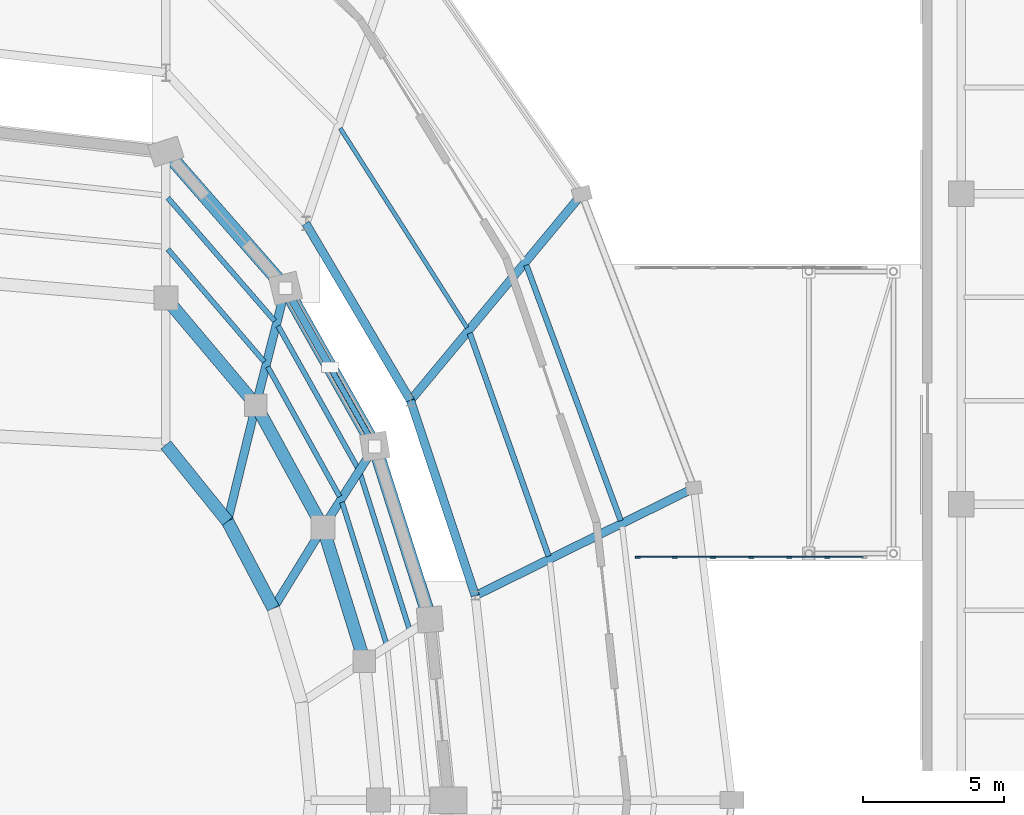
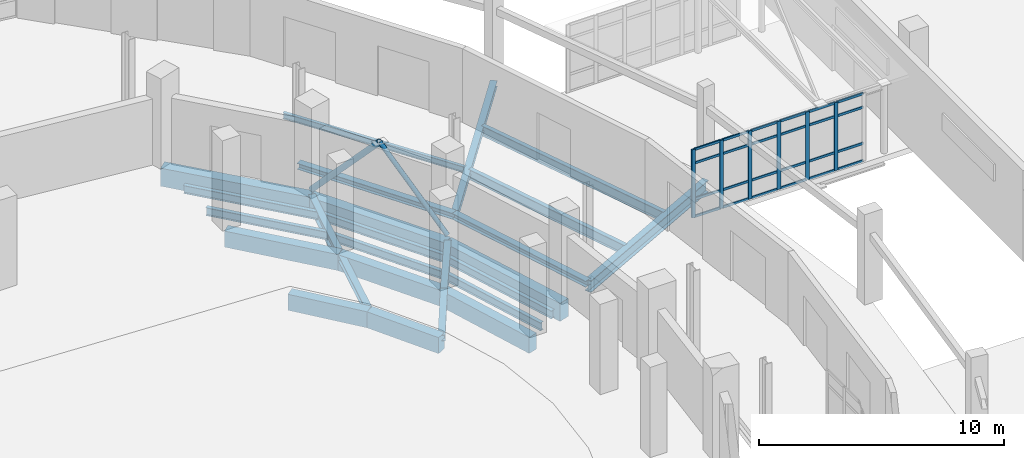
# One storey, part 72 of 122: 32 members, 25 beams, 1 element without a shape of its own.
"""IFC4 building model written with IfcOpenShell, lengths in metres."""

from ifc_helpers import new_model, si_unit, direction, frame, origin, origin_2d, place, context, subcontext, project, spatial, rectangle, hollow_circle, i_section, extrude, material, layer, layer_set, material_profile, profile_set, type_object, element, aggregate, save


model = new_model("IFC4")

# Units and contexts
model_context = context("Model", 3, precision=1e-05, world=origin(), true_north=direction((0.0, 1.0)))
body_context = subcontext(model_context, "Body", "Model", "MODEL_VIEW")
ifc_project = project(units=[si_unit("LENGTHUNIT", "METRE"), si_unit("AREAUNIT", "SQUARE_METRE"), si_unit("VOLUMEUNIT", "CUBIC_METRE"), si_unit("PLANEANGLEUNIT", "RADIAN"), si_unit("MASSUNIT", "GRAM", prefix="KILO")], contexts=[model_context])

# Site, building, storey
site_placement = place(None, origin())
site = spatial("IfcSite", under=ifc_project, at=site_placement, CompositionType="ELEMENT")
building_placement = place(site_placement, origin())
building = spatial("IfcBuilding", under=site, at=building_placement, Name="Sohan Crest Arena", CompositionType="ELEMENT")
storey_placement = place(building_placement, origin())
storey = spatial("IfcBuildingStorey", under=building, at=storey_placement, Name="L00", CompositionType="ELEMENT", Elevation=0.0)

# Curtain wall, members
ifc_material_1 = material(Name="Thermally broken anodised aluminium", Category="aluminium")
ifc_layer = layer(ifc_material_1, 0.18994140625, Name="Thermally broken anodised aluminium")
ifc_layer_set = layer_set([ifc_layer], Name="Thermally broken anodised aluminium")
curtain_wall_type = type_object("IfcCurtainWallType", Name="ARC-CW05", PredefinedType="NOTDEFINED", material=ifc_layer_set)
curtain_wall_placement = place(storey_placement, origin())
curtain_wall = element("IfcCurtainWall", 1, at=curtain_wall_placement, inside=storey, type_object=curtain_wall_type, Name="Unitised curtain wall CW-245", PredefinedType="NOTDEFINED")
ifc_material_profile_1 = material_profile(ifc_material_1, rectangle(XDim=0.06494140625, YDim=0.179931640625, at=origin_2d()), Name="ALU-MULL 65x180")
ifc_profile_set_1 = profile_set([ifc_material_profile_1], Name="Thermally broken anodised aluminium")
member_type_1 = type_object("IfcMemberType", Name="ARC-CW-ML02", PredefinedType="MULLION", material=ifc_profile_set_1)
member_1_placement = place(storey_placement, frame((184.732421875, 86.6201171875, 0.0), z_axis=(0.0, 0.0, 1.0), x_axis=(0.0, 1.0, 0.0)))
member_1 = element("IfcMember", 2, at=member_1_placement, type_object=member_type_1, Name="CW-245 mullion 1", PredefinedType="MULLION", context=body_context, shape_type="SweptSolid", body=[
    extrude(rectangle(XDim=0.06494140625, YDim=0.179931640625, at=origin_2d()), origin(), (0.0, 0.0, 1.0), 3.39990234375),
])
member_2_placement = place(storey_placement, frame((186.050048828125, 86.6201171875, 0.0), z_axis=(0.0, 0.0, 1.0), x_axis=(0.0, 1.0, 0.0)))
member_2 = element("IfcMember", 3, at=member_2_placement, type_object=member_type_1, Name="CW-245 mullion 2", PredefinedType="MULLION", context=body_context, shape_type="SweptSolid", body=[
    extrude(rectangle(XDim=0.06494140625, YDim=0.179931640625, at=origin_2d()), origin(), (0.0, 0.0, 1.0), 3.39990234375),
])
member_3_placement = place(storey_placement, frame((187.39990234375, 86.6201171875, 0.0), z_axis=(0.0, 0.0, 1.0), x_axis=(0.0, 1.0, 0.0)))
member_3 = element("IfcMember", 4, at=member_3_placement, type_object=member_type_1, Name="CW-245 mullion 3", PredefinedType="MULLION", context=body_context, shape_type="SweptSolid", body=[
    extrude(rectangle(XDim=0.06494140625, YDim=0.179931640625, at=origin_2d()), origin(), (0.0, 0.0, 1.0), 3.39990234375),
])
member_4_placement = place(storey_placement, frame((188.75, 86.6201171875, 0.0), z_axis=(0.0, 0.0, 1.0), x_axis=(0.0, 1.0, 0.0)))
member_4 = element("IfcMember", 5, at=member_4_placement, type_object=member_type_1, Name="CW-245 mullion 4", PredefinedType="MULLION", context=body_context, shape_type="SweptSolid", body=[
    extrude(rectangle(XDim=0.06494140625, YDim=0.179931640625, at=origin_2d()), origin(), (0.0, 0.0, 1.0), 3.39990234375),
])
member_5_placement = place(storey_placement, frame((190.10009765625, 86.6201171875, 0.0), z_axis=(0.0, 0.0, 1.0), x_axis=(0.0, 1.0, 0.0)))
member_5 = element("IfcMember", 6, at=member_5_placement, type_object=member_type_1, Name="CW-245 mullion 5", PredefinedType="MULLION", context=body_context, shape_type="SweptSolid", body=[
    extrude(rectangle(XDim=0.06494140625, YDim=0.179931640625, at=origin_2d()), origin(), (0.0, 0.0, 1.0), 3.39990234375),
])
member_6_placement = place(storey_placement, frame((191.449951171875, 86.6201171875, 0.0), z_axis=(0.0, 0.0, 1.0), x_axis=(0.0, 1.0, 0.0)))
member_6 = element("IfcMember", 7, at=member_6_placement, type_object=member_type_1, Name="CW-245 mullion 6", PredefinedType="MULLION", context=body_context, shape_type="SweptSolid", body=[
    extrude(rectangle(XDim=0.06494140625, YDim=0.179931640625, at=origin_2d()), origin(), (0.0, 0.0, 1.0), 3.39990234375),
])
ifc_material_profile_2 = material_profile(ifc_material_1, rectangle(XDim=0.06005859375, YDim=0.1201171875, at=origin_2d()), Name="ALU-TRAN 60x120")
ifc_profile_set_2 = profile_set([ifc_material_profile_2], Name="Thermally broken anodised aluminium")
member_type_2 = type_object("IfcMemberType", Name="ARC-CW-TR01", PredefinedType="USERDEFINED", material=ifc_profile_set_2)
member_7_placement = place(storey_placement, frame((184.764892578125, 86.6201171875, 0.030029296875), z_axis=(1.0, 0.0, 0.0), x_axis=(0.0, 1.0, 0.0)))
member_7 = element("IfcMember", 8, at=member_7_placement, type_object=member_type_2, Name="CW-245 transom 1.1", ObjectType="TRANSOM", PredefinedType="USERDEFINED", context=body_context, shape_type="SweptSolid", body=[
    extrude(rectangle(XDim=0.06005859375, YDim=0.1201171875, at=origin_2d()), origin(), (0.0, 0.0, 1.0), 1.252685546875),
])
member_8_placement = place(storey_placement, frame((184.764892578125, 86.6201171875, 0.89990234375), z_axis=(1.0, 0.0, 0.0), x_axis=(0.0, 1.0, 0.0)))
member_8 = element("IfcMember", 9, at=member_8_placement, type_object=member_type_2, Name="CW-245 transom 1.2", ObjectType="TRANSOM", PredefinedType="USERDEFINED", context=body_context, shape_type="SweptSolid", body=[
    extrude(rectangle(XDim=0.06005859375, YDim=0.1201171875, at=origin_2d()), origin(), (0.0, 0.0, 1.0), 1.252685546875),
])
member_9_placement = place(storey_placement, frame((184.764892578125, 86.6201171875, 2.699951171875), z_axis=(1.0, 0.0, 0.0), x_axis=(0.0, 1.0, 0.0)))
member_9 = element("IfcMember", 10, at=member_9_placement, type_object=member_type_2, Name="CW-245 transom 1.3", ObjectType="TRANSOM", PredefinedType="USERDEFINED", context=body_context, shape_type="SweptSolid", body=[
    extrude(rectangle(XDim=0.06005859375, YDim=0.1201171875, at=origin_2d()), origin(), (0.0, 0.0, 1.0), 1.252685546875),
])
member_10_placement = place(storey_placement, frame((184.764892578125, 86.6201171875, 3.3701171875), z_axis=(1.0, 0.0, 0.0), x_axis=(0.0, 1.0, 0.0)))
member_10 = element("IfcMember", 11, at=member_10_placement, type_object=member_type_2, Name="CW-245 transom 1.4", ObjectType="TRANSOM", PredefinedType="USERDEFINED", context=body_context, shape_type="SweptSolid", body=[
    extrude(rectangle(XDim=0.06005859375, YDim=0.1201171875, at=origin_2d()), origin(), (0.0, 0.0, 1.0), 1.252685546875),
])
member_11_placement = place(storey_placement, frame((186.08251953125, 86.6201171875, 0.030029296875), z_axis=(1.0, 0.0, 0.0), x_axis=(0.0, 1.0, 0.0)))
member_11 = element("IfcMember", 12, at=member_11_placement, type_object=member_type_2, Name="CW-245 transom 2.1", ObjectType="TRANSOM", PredefinedType="USERDEFINED", context=body_context, shape_type="SweptSolid", body=[
    extrude(rectangle(XDim=0.06005859375, YDim=0.1201171875, at=origin_2d()), origin(), (0.0, 0.0, 1.0), 1.284912109375),
])
member_12_placement = place(storey_placement, frame((186.08251953125, 86.6201171875, 0.89990234375), z_axis=(1.0, 0.0, 0.0), x_axis=(0.0, 1.0, 0.0)))
member_12 = element("IfcMember", 13, at=member_12_placement, type_object=member_type_2, Name="CW-245 transom 2.2", ObjectType="TRANSOM", PredefinedType="USERDEFINED", context=body_context, shape_type="SweptSolid", body=[
    extrude(rectangle(XDim=0.06005859375, YDim=0.1201171875, at=origin_2d()), origin(), (0.0, 0.0, 1.0), 1.284912109375),
])
member_13_placement = place(storey_placement, frame((186.08251953125, 86.6201171875, 2.699951171875), z_axis=(1.0, 0.0, 0.0), x_axis=(0.0, 1.0, 0.0)))
member_13 = element("IfcMember", 14, at=member_13_placement, type_object=member_type_2, Name="CW-245 transom 2.3", ObjectType="TRANSOM", PredefinedType="USERDEFINED", context=body_context, shape_type="SweptSolid", body=[
    extrude(rectangle(XDim=0.06005859375, YDim=0.1201171875, at=origin_2d()), origin(), (0.0, 0.0, 1.0), 1.284912109375),
])
member_14_placement = place(storey_placement, frame((186.08251953125, 86.6201171875, 3.3701171875), z_axis=(1.0, 0.0, 0.0), x_axis=(0.0, 1.0, 0.0)))
member_14 = element("IfcMember", 15, at=member_14_placement, type_object=member_type_2, Name="CW-245 transom 2.4", ObjectType="TRANSOM", PredefinedType="USERDEFINED", context=body_context, shape_type="SweptSolid", body=[
    extrude(rectangle(XDim=0.06005859375, YDim=0.1201171875, at=origin_2d()), origin(), (0.0, 0.0, 1.0), 1.284912109375),
])
member_15_placement = place(storey_placement, frame((187.4326171875, 86.6201171875, 0.030029296875), z_axis=(1.0, 0.0, 0.0), x_axis=(0.0, 1.0, 0.0)))
member_15 = element("IfcMember", 16, at=member_15_placement, type_object=member_type_2, Name="CW-245 transom 3.1", ObjectType="TRANSOM", PredefinedType="USERDEFINED", context=body_context, shape_type="SweptSolid", body=[
    extrude(rectangle(XDim=0.06005859375, YDim=0.1201171875, at=origin_2d()), origin(), (0.0, 0.0, 1.0), 1.284912109375),
])
member_16_placement = place(storey_placement, frame((187.4326171875, 86.6201171875, 0.89990234375), z_axis=(1.0, 0.0, 0.0), x_axis=(0.0, 1.0, 0.0)))
member_16 = element("IfcMember", 17, at=member_16_placement, type_object=member_type_2, Name="CW-245 transom 3.2", ObjectType="TRANSOM", PredefinedType="USERDEFINED", context=body_context, shape_type="SweptSolid", body=[
    extrude(rectangle(XDim=0.06005859375, YDim=0.1201171875, at=origin_2d()), origin(), (0.0, 0.0, 1.0), 1.284912109375),
])
member_17_placement = place(storey_placement, frame((187.4326171875, 86.6201171875, 2.699951171875), z_axis=(1.0, 0.0, 0.0), x_axis=(0.0, 1.0, 0.0)))
member_17 = element("IfcMember", 18, at=member_17_placement, type_object=member_type_2, Name="CW-245 transom 3.3", ObjectType="TRANSOM", PredefinedType="USERDEFINED", context=body_context, shape_type="SweptSolid", body=[
    extrude(rectangle(XDim=0.06005859375, YDim=0.1201171875, at=origin_2d()), origin(), (0.0, 0.0, 1.0), 1.284912109375),
])
member_18_placement = place(storey_placement, frame((187.4326171875, 86.6201171875, 3.3701171875), z_axis=(1.0, 0.0, 0.0), x_axis=(0.0, 1.0, 0.0)))
member_18 = element("IfcMember", 19, at=member_18_placement, type_object=member_type_2, Name="CW-245 transom 3.4", ObjectType="TRANSOM", PredefinedType="USERDEFINED", context=body_context, shape_type="SweptSolid", body=[
    extrude(rectangle(XDim=0.06005859375, YDim=0.1201171875, at=origin_2d()), origin(), (0.0, 0.0, 1.0), 1.284912109375),
])
member_19_placement = place(storey_placement, frame((188.782470703125, 86.6201171875, 0.030029296875), z_axis=(1.0, 0.0, 0.0), x_axis=(0.0, 1.0, 0.0)))
member_19 = element("IfcMember", 20, at=member_19_placement, type_object=member_type_2, Name="CW-245 transom 4.1", ObjectType="TRANSOM", PredefinedType="USERDEFINED", context=body_context, shape_type="SweptSolid", body=[
    extrude(rectangle(XDim=0.06005859375, YDim=0.1201171875, at=origin_2d()), origin(), (0.0, 0.0, 1.0), 1.284912109375),
])
member_20_placement = place(storey_placement, frame((188.782470703125, 86.6201171875, 0.89990234375), z_axis=(1.0, 0.0, 0.0), x_axis=(0.0, 1.0, 0.0)))
member_20 = element("IfcMember", 21, at=member_20_placement, type_object=member_type_2, Name="CW-245 transom 4.2", ObjectType="TRANSOM", PredefinedType="USERDEFINED", context=body_context, shape_type="SweptSolid", body=[
    extrude(rectangle(XDim=0.06005859375, YDim=0.1201171875, at=origin_2d()), origin(), (0.0, 0.0, 1.0), 1.284912109375),
])
member_21_placement = place(storey_placement, frame((188.782470703125, 86.6201171875, 2.699951171875), z_axis=(1.0, 0.0, 0.0), x_axis=(0.0, 1.0, 0.0)))
member_21 = element("IfcMember", 22, at=member_21_placement, type_object=member_type_2, Name="CW-245 transom 4.3", ObjectType="TRANSOM", PredefinedType="USERDEFINED", context=body_context, shape_type="SweptSolid", body=[
    extrude(rectangle(XDim=0.06005859375, YDim=0.1201171875, at=origin_2d()), origin(), (0.0, 0.0, 1.0), 1.284912109375),
])
member_22_placement = place(storey_placement, frame((188.782470703125, 86.6201171875, 3.3701171875), z_axis=(1.0, 0.0, 0.0), x_axis=(0.0, 1.0, 0.0)))
member_22 = element("IfcMember", 23, at=member_22_placement, type_object=member_type_2, Name="CW-245 transom 4.4", ObjectType="TRANSOM", PredefinedType="USERDEFINED", context=body_context, shape_type="SweptSolid", body=[
    extrude(rectangle(XDim=0.06005859375, YDim=0.1201171875, at=origin_2d()), origin(), (0.0, 0.0, 1.0), 1.284912109375),
])
member_23_placement = place(storey_placement, frame((190.132568359375, 86.6201171875, 0.030029296875), z_axis=(1.0, 0.0, 0.0), x_axis=(0.0, 1.0, 0.0)))
member_23 = element("IfcMember", 24, at=member_23_placement, type_object=member_type_2, Name="CW-245 transom 5.1", ObjectType="TRANSOM", PredefinedType="USERDEFINED", context=body_context, shape_type="SweptSolid", body=[
    extrude(rectangle(XDim=0.06005859375, YDim=0.1201171875, at=origin_2d()), origin(), (0.0, 0.0, 1.0), 1.284912109375),
])
member_24_placement = place(storey_placement, frame((190.132568359375, 86.6201171875, 0.89990234375), z_axis=(1.0, 0.0, 0.0), x_axis=(0.0, 1.0, 0.0)))
member_24 = element("IfcMember", 25, at=member_24_placement, type_object=member_type_2, Name="CW-245 transom 5.2", ObjectType="TRANSOM", PredefinedType="USERDEFINED", context=body_context, shape_type="SweptSolid", body=[
    extrude(rectangle(XDim=0.06005859375, YDim=0.1201171875, at=origin_2d()), origin(), (0.0, 0.0, 1.0), 1.284912109375),
])
member_25_placement = place(storey_placement, frame((190.132568359375, 86.6201171875, 2.699951171875), z_axis=(1.0, 0.0, 0.0), x_axis=(0.0, 1.0, 0.0)))
member_25 = element("IfcMember", 26, at=member_25_placement, type_object=member_type_2, Name="CW-245 transom 5.3", ObjectType="TRANSOM", PredefinedType="USERDEFINED", context=body_context, shape_type="SweptSolid", body=[
    extrude(rectangle(XDim=0.06005859375, YDim=0.1201171875, at=origin_2d()), origin(), (0.0, 0.0, 1.0), 1.284912109375),
])
member_26_placement = place(storey_placement, frame((190.132568359375, 86.6201171875, 3.3701171875), z_axis=(1.0, 0.0, 0.0), x_axis=(0.0, 1.0, 0.0)))
member_26 = element("IfcMember", 27, at=member_26_placement, type_object=member_type_2, Name="CW-245 transom 5.4", ObjectType="TRANSOM", PredefinedType="USERDEFINED", context=body_context, shape_type="SweptSolid", body=[
    extrude(rectangle(XDim=0.06005859375, YDim=0.1201171875, at=origin_2d()), origin(), (0.0, 0.0, 1.0), 1.284912109375),
])
member_27_placement = place(storey_placement, frame((191.482421875, 86.6201171875, 0.030029296875), z_axis=(1.0, 0.0, 0.0), x_axis=(0.0, 1.0, 0.0)))
member_27 = element("IfcMember", 28, at=member_27_placement, type_object=member_type_2, Name="CW-245 transom 6.1", ObjectType="TRANSOM", PredefinedType="USERDEFINED", context=body_context, shape_type="SweptSolid", body=[
    extrude(rectangle(XDim=0.06005859375, YDim=0.1201171875, at=origin_2d()), origin(), (0.0, 0.0, 1.0), 1.252685546875),
])
member_28_placement = place(storey_placement, frame((191.482421875, 86.6201171875, 0.89990234375), z_axis=(1.0, 0.0, 0.0), x_axis=(0.0, 1.0, 0.0)))
member_28 = element("IfcMember", 29, at=member_28_placement, type_object=member_type_2, Name="CW-245 transom 6.2", ObjectType="TRANSOM", PredefinedType="USERDEFINED", context=body_context, shape_type="SweptSolid", body=[
    extrude(rectangle(XDim=0.06005859375, YDim=0.1201171875, at=origin_2d()), origin(), (0.0, 0.0, 1.0), 1.252685546875),
])
member_29_placement = place(storey_placement, frame((191.482421875, 86.6201171875, 2.699951171875), z_axis=(1.0, 0.0, 0.0), x_axis=(0.0, 1.0, 0.0)))
member_29 = element("IfcMember", 30, at=member_29_placement, type_object=member_type_2, Name="CW-245 transom 6.3", ObjectType="TRANSOM", PredefinedType="USERDEFINED", context=body_context, shape_type="SweptSolid", body=[
    extrude(rectangle(XDim=0.06005859375, YDim=0.1201171875, at=origin_2d()), origin(), (0.0, 0.0, 1.0), 1.252685546875),
])
member_30_placement = place(storey_placement, frame((191.482421875, 86.6201171875, 3.3701171875), z_axis=(1.0, 0.0, 0.0), x_axis=(0.0, 1.0, 0.0)))
member_30 = element("IfcMember", 31, at=member_30_placement, type_object=member_type_2, Name="CW-245 transom 6.4", ObjectType="TRANSOM", PredefinedType="USERDEFINED", context=body_context, shape_type="SweptSolid", body=[
    extrude(rectangle(XDim=0.06005859375, YDim=0.1201171875, at=origin_2d()), origin(), (0.0, 0.0, 1.0), 1.252685546875),
])
aggregate(curtain_wall, [member_1, member_2, member_3, member_4, member_5, member_6, member_7, member_8, member_9, member_10, member_11, member_12, member_13, member_14, member_15, member_16, member_17, member_18, member_19, member_20, member_21, member_22, member_23, member_24, member_25, member_26, member_27, member_28, member_29, member_30])

# Beams
ifc_material_2 = material(Name="Steel S355", Category="steel")
ifc_material_profile_3 = material_profile(ifc_material_2, i_section(OverallWidth=0.14990234375, OverallDepth=0.300048828125, WebThickness=0.007080078125, FlangeThickness=0.0107421875, at=origin_2d()), Name="IPE 300")
ifc_profile_set_3 = profile_set([ifc_material_profile_3], Name="Steel S355")
beam_type_1 = type_object("IfcBeamType", Name="STR-BM-B01", PredefinedType="JOIST", material=ifc_profile_set_3)
beam_1_placement = place(storey_placement, frame((178.679931640625, 94.7548828125, -0.425048828125), z_axis=(-0.536679400997, 0.843786241027, 0.0), x_axis=(-0.843786241027, -0.536679400997, 0.0)))
element("IfcBeam", 32, at=beam_1_placement, inside=storey, type_object=beam_type_1, Name="Structural beam J-L00-1042", PredefinedType="JOIST", context=body_context, shape_type="SweptSolid", body=[
    extrude(i_section(OverallWidth=0.14990234375, OverallDepth=0.300048828125, WebThickness=0.007080078125, FlangeThickness=0.0107421875, at=origin_2d()), origin(), (0.0, 0.0, 1.0), 8.37890625),
])
ifc_material_profile_4 = material_profile(ifc_material_2, i_section(OverallWidth=0.179931640625, OverallDepth=0.39990234375, WebThickness=0.008544921875, FlangeThickness=0.013427734375, at=origin_2d()), Name="IPE 400")
ifc_profile_set_4 = profile_set([ifc_material_profile_4], Name="Steel S355")
beam_type_2 = type_object("IfcBeamType", Name="STR-BM-B03", PredefinedType="JOIST", material=ifc_profile_set_4)
beam_2_placement = place(storey_placement, frame((175.818115234375, 83.552001953125, -0.449951171875), z_axis=(-0.298949451422, 0.954268948198, 0.0), x_axis=(-0.954268948198, -0.298949451422, 0.0)))
element("IfcBeam", 33, at=beam_2_placement, inside=storey, type_object=beam_type_2, Name="Structural beam J-L00-0594", PredefinedType="JOIST", context=body_context, shape_type="SweptSolid", body=[
    extrude(i_section(OverallWidth=0.179931640625, OverallDepth=0.39990234375, WebThickness=0.008544921875, FlangeThickness=0.013427734375, at=origin_2d()), origin(), (0.0, 0.0, 1.0), 5.255126953125),
])
beam_3_placement = place(storey_placement, frame((176.632080078125, 84.069091796875, -0.449951171875), z_axis=(-0.301440884565, 0.953484867794, 0.0), x_axis=(-0.953484867794, -0.301440884565, 0.0)))
element("IfcBeam", 34, at=beam_3_placement, inside=storey, type_object=beam_type_2, Name="Structural beam J-L00-0595", PredefinedType="JOIST", context=body_context, shape_type="SweptSolid", body=[
    extrude(i_section(OverallWidth=0.179931640625, OverallDepth=0.39990234375, WebThickness=0.008544921875, FlangeThickness=0.013427734375, at=origin_2d()), origin(), (0.0, 0.0, 1.0), 5.775390625),
])
beam_4_placement = place(storey_placement, frame((174.160888671875, 88.76806640625, -0.449951171875), z_axis=(-0.484550137215, 0.874763490622, 0.0), x_axis=(-0.874763490622, -0.484550137215, 0.0)))
element("IfcBeam", 35, at=beam_4_placement, inside=storey, type_object=beam_type_2, Name="Structural beam J-L00-0617", PredefinedType="JOIST", context=body_context, shape_type="SweptSolid", body=[
    extrude(i_section(OverallWidth=0.179931640625, OverallDepth=0.39990234375, WebThickness=0.008544921875, FlangeThickness=0.013427734375, at=origin_2d()), origin(), (0.0, 0.0, 1.0), 5.256103515625),
])
beam_5_placement = place(storey_placement, frame((174.803955078125, 89.777099609375, -0.449951171875), z_axis=(-0.488712798321, 0.872444726477, 0.0), x_axis=(-0.872444726477, -0.488712798321, 0.0)))
element("IfcBeam", 36, at=beam_5_placement, inside=storey, type_object=beam_type_2, Name="Structural beam J-L00-0618", PredefinedType="JOIST", context=body_context, shape_type="SweptSolid", body=[
    extrude(i_section(OverallWidth=0.179931640625, OverallDepth=0.39990234375, WebThickness=0.008544921875, FlangeThickness=0.013427734375, at=origin_2d()), origin(), (0.0, 0.0, 1.0), 5.7744140625),
])
beam_6_placement = place(storey_placement, frame((171.489013671875, 93.5458984375, -0.449951171875), z_axis=(-0.65046216093, 0.759538660766, 0.0), x_axis=(-0.759538660766, -0.65046216093, 0.0)))
element("IfcBeam", 37, at=beam_6_placement, inside=storey, type_object=beam_type_2, Name="Structural beam J-L00-0640", PredefinedType="JOIST", context=body_context, shape_type="SweptSolid", body=[
    extrude(i_section(OverallWidth=0.179931640625, OverallDepth=0.39990234375, WebThickness=0.008544921875, FlangeThickness=0.013427734375, at=origin_2d()), origin(), (0.0, 0.0, 1.0), 5.253173828125),
])
beam_7_placement = place(storey_placement, frame((171.85595703125, 94.993896484375, -0.449951171875), z_axis=(-0.655191219496, 0.755463080432, 0.0), x_axis=(-0.755463080432, -0.655191219496, 0.0)))
element("IfcBeam", 38, at=beam_7_placement, inside=storey, type_object=beam_type_2, Name="Structural beam J-L00-0641", PredefinedType="JOIST", context=body_context, shape_type="SweptSolid", body=[
    extrude(i_section(OverallWidth=0.179931640625, OverallDepth=0.39990234375, WebThickness=0.008544921875, FlangeThickness=0.013427734375, at=origin_2d()), origin(), (0.0, 0.0, 1.0), 5.775390625),
])
ifc_material_profile_5 = material_profile(ifc_material_2, i_section(OverallWidth=0.199951171875, OverallDepth=0.5, WebThickness=0.01025390625, FlangeThickness=0.01611328125, at=origin_2d()), Name="IPE 500")
ifc_profile_set_5 = profile_set([ifc_material_profile_5], Name="Steel S355")
beam_type_3 = type_object("IfcBeamType", Name="STR-BM-B05", PredefinedType="JOIST", material=ifc_profile_set_5)
beam_8_placement = place(storey_placement, frame((181.571044921875, 86.654052734375, -0.52490234375), z_axis=(-0.333403454645, 0.942784247021, 0.0), x_axis=(-0.942784247021, -0.333403454645, 0.0)))
element("IfcBeam", 39, at=beam_8_placement, inside=storey, type_object=beam_type_3, Name="Structural beam J-L00-1036", PredefinedType="JOIST", context=body_context, shape_type="SweptSolid", body=[
    extrude(i_section(OverallWidth=0.199951171875, OverallDepth=0.5, WebThickness=0.01025390625, FlangeThickness=0.01611328125, at=origin_2d()), origin(), (0.0, 0.0, 1.0), 8.3837890625),
])
beam_9_placement = place(storey_placement, frame((184.12890625, 87.9130859375, -0.52490234375), z_axis=(-0.346567455642, 0.938025052272, 0.0), x_axis=(-0.938025052272, -0.346567455642, 0.0)))
element("IfcBeam", 40, at=beam_9_placement, inside=storey, type_object=beam_type_3, Name="Structural beam J-L00-1037", PredefinedType="JOIST", context=body_context, shape_type="SweptSolid", body=[
    extrude(i_section(OverallWidth=0.199951171875, OverallDepth=0.5, WebThickness=0.01025390625, FlangeThickness=0.01611328125, at=origin_2d()), origin(), (0.0, 0.0, 1.0), 9.657470703125),
])
ifc_material_profile_6 = material_profile(ifc_material_2, i_section(OverallWidth=0.300048828125, OverallDepth=0.590087890625, WebThickness=0.012939453125, FlangeThickness=0.02490234375, at=origin_2d()), Name="HEA 600")
ifc_profile_set_6 = profile_set([ifc_material_profile_6], Name="Steel S355")
beam_type_4 = type_object("IfcBeamType", Name="STR-BM-B11", PredefinedType="BEAM", material=ifc_profile_set_6)
beam_10_placement = place(storey_placement, frame((173.571044921875, 87.6640625, -0.544921875), z_axis=(0.537836706891, 0.843049035775, 0.0), x_axis=(-0.843049035775, 0.537836706891, 0.0)))
element("IfcBeam", 41, at=beam_10_placement, inside=storey, type_object=beam_type_4, Name="Structural beam G-L00-0616", PredefinedType="BEAM", context=body_context, shape_type="SweptSolid", body=[
    extrude(i_section(OverallWidth=0.300048828125, OverallDepth=0.590087890625, WebThickness=0.012939453125, FlangeThickness=0.02490234375, at=origin_2d()), origin(), (0.0, 0.0, 1.0), 3.417236328125),
])
beam_11_placement = place(storey_placement, frame((171.194091796875, 92.011962890625, -0.544921875), z_axis=(0.245465367753, 0.969405360638, 0.0), x_axis=(-0.969405360638, 0.245465367753, 0.0)))
element("IfcBeam", 42, at=beam_11_placement, inside=storey, type_object=beam_type_4, Name="Structural beam G-L00-0639", PredefinedType="BEAM", context=body_context, shape_type="SweptSolid", body=[
    extrude(i_section(OverallWidth=0.300048828125, OverallDepth=0.590087890625, WebThickness=0.012939453125, FlangeThickness=0.02490234375, at=origin_2d()), origin(), (0.0, 0.0, 1.0), 4.272705078125),
])
beam_12_placement = place(storey_placement, frame((178.971923828125, 85.251953125, -0.570068359375), z_axis=(0.897117109087, 0.441792816356, 0.0), x_axis=(-0.441792816356, 0.897117109087, 0.0)))
element("IfcBeam", 43, at=beam_12_placement, inside=storey, type_object=beam_type_4, Name="Structural beam G-L00-1032", PredefinedType="BEAM", context=body_context, shape_type="SweptSolid", body=[
    extrude(i_section(OverallWidth=0.300048828125, OverallDepth=0.590087890625, WebThickness=0.012939453125, FlangeThickness=0.02490234375, at=origin_2d()), origin(), (0.0, 0.0, 1.0), 8.642333984375),
])
ifc_material_profile_7 = material_profile(ifc_material_2, i_section(OverallWidth=0.300048828125, OverallDepth=0.300048828125, WebThickness=0.010986328125, FlangeThickness=0.01904296875, at=origin_2d()), Name="HEB 300")
ifc_profile_set_7 = profile_set([ifc_material_profile_7], Name="Steel S355")
beam_type_5 = type_object("IfcBeamType", Name="STR-BM-B12", PredefinedType="BEAM", material=ifc_profile_set_7)
beam_13_placement = place(storey_placement, frame((171.80908203125, 84.804931640625, -0.39990234375), z_axis=(0.524636757969, 0.851326184366, 0.0), x_axis=(-0.851326184366, 0.524636757969, 0.0)))
element("IfcBeam", 44, at=beam_13_placement, inside=storey, type_object=beam_type_5, Name="Structural beam G-L00-0613", PredefinedType="BEAM", context=body_context, shape_type="SweptSolid", body=[
    extrude(i_section(OverallWidth=0.300048828125, OverallDepth=0.300048828125, WebThickness=0.010986328125, FlangeThickness=0.01904296875, at=origin_2d()), origin(), (0.0, 0.0, 1.0), 3.3583984375),
])
beam_14_placement = place(storey_placement, frame((170.18603515625, 87.887939453125, -0.39990234375), z_axis=(0.237444649382, 0.971401069837, 0.0), x_axis=(-0.971401069837, 0.237444649382, 0.0)))
element("IfcBeam", 45, at=beam_14_placement, inside=storey, type_object=beam_type_5, Name="Structural beam G-L00-0636", PredefinedType="BEAM", context=body_context, shape_type="SweptSolid", body=[
    extrude(i_section(OverallWidth=0.300048828125, OverallDepth=0.300048828125, WebThickness=0.010986328125, FlangeThickness=0.01904296875, at=origin_2d()), origin(), (0.0, 0.0, 1.0), 4.245361328125),
])
beam_15_placement = place(storey_placement, frame((178.971923828125, 85.251953125, -0.425048828125), z_axis=(-0.315012572955, 0.949087498011, 0.0), x_axis=(-0.949087498011, -0.315012572955, 0.0)))
element("IfcBeam", 46, at=beam_15_placement, inside=storey, type_object=beam_type_5, Name="Structural beam G-L00-1033", PredefinedType="BEAM", context=body_context, shape_type="SweptSolid", body=[
    extrude(i_section(OverallWidth=0.300048828125, OverallDepth=0.300048828125, WebThickness=0.010986328125, FlangeThickness=0.01904296875, at=origin_2d()), origin(), (0.0, 0.0, 1.0), 7.29443359375),
])
beam_16_placement = place(storey_placement, frame((176.674072265625, 92.175048828125, -0.425048828125), z_axis=(0.638940924568, 0.7692558059, 0.0), x_axis=(-0.7692558059, 0.638940924568, 0.0)))
element("IfcBeam", 47, at=beam_16_placement, inside=storey, type_object=beam_type_5, Name="Structural beam G-L00-1038", PredefinedType="BEAM", context=body_context, shape_type="SweptSolid", body=[
    extrude(i_section(OverallWidth=0.300048828125, OverallDepth=0.300048828125, WebThickness=0.010986328125, FlangeThickness=0.01904296875, at=origin_2d()), origin(), (0.0, 0.0, 1.0), 9.5078125),
])
beam_17_placement = place(storey_placement, frame((176.674072265625, 92.175048828125, -0.425048828125), z_axis=(-0.509085626747, 0.860715879161, 0.0), x_axis=(-0.860715879161, -0.509085626747, 0.0)))
element("IfcBeam", 48, at=beam_17_placement, inside=storey, type_object=beam_type_5, Name="Structural beam G-L00-1039", PredefinedType="BEAM", context=body_context, shape_type="SweptSolid", body=[
    extrude(i_section(OverallWidth=0.300048828125, OverallDepth=0.300048828125, WebThickness=0.010986328125, FlangeThickness=0.01904296875, at=origin_2d()), origin(), (0.0, 0.0, 1.0), 7.293701171875),
])
ifc_material_3 = material(Name="Concrete C40/50", Category="concrete")
ifc_material_profile_8 = material_profile(ifc_material_3, rectangle(XDim=0.449951171875, YDim=0.800048828125, at=origin_2d()), Name="RC-BM 450x800")
ifc_profile_set_8 = profile_set([ifc_material_profile_8], Name="Concrete C40/50")
beam_type_6 = type_object("IfcBeamType", Name="STR-BM-TB02", PredefinedType="BEAM", material=ifc_profile_set_8)
beam_18_placement = place(storey_placement, frame((175.037109375, 82.929931640625, -0.64990234375), z_axis=(-0.295819661295, 0.955243805524, 0.0), x_axis=(-0.955243805524, -0.295819661295, 0.0)))
element("IfcBeam", 49, at=beam_18_placement, inside=storey, type_object=beam_type_6, Name="Structural beam TB-L00-0591", PredefinedType="BEAM", context=body_context, shape_type="SweptSolid", body=[
    extrude(rectangle(XDim=0.449951171875, YDim=0.800048828125, at=origin_2d()), origin(), (0.0, 0.0, 1.0), 4.9560546875),
])
beam_19_placement = place(storey_placement, frame((171.80908203125, 84.804931640625, -0.64990234375), z_axis=(-0.465838846331, 0.884869577536, 0.0), x_axis=(-0.884869577536, -0.465838846331, 0.0)))
element("IfcBeam", 50, at=beam_19_placement, inside=storey, type_object=beam_type_6, Name="Structural beam TB-L00-0612", PredefinedType="BEAM", context=body_context, shape_type="SweptSolid", body=[
    extrude(rectangle(XDim=0.449951171875, YDim=0.800048828125, at=origin_2d()), origin(), (0.0, 0.0, 1.0), 3.484130859375),
])
beam_20_placement = place(storey_placement, frame((173.571044921875, 87.6640625, -0.64990234375), z_axis=(-0.479687297687, 0.877439511555, 0.0), x_axis=(-0.877439511555, -0.479687297687, 0.0)))
element("IfcBeam", 51, at=beam_20_placement, inside=storey, type_object=beam_type_6, Name="Structural beam TB-L00-0614", PredefinedType="BEAM", context=body_context, shape_type="SweptSolid", body=[
    extrude(rectangle(XDim=0.449951171875, YDim=0.800048828125, at=origin_2d()), origin(), (0.0, 0.0, 1.0), 4.955322265625),
])
beam_21_placement = place(storey_placement, frame((170.18603515625, 87.887939453125, -0.64990234375), z_axis=(-0.62754557516, 0.778579829624, 0.0), x_axis=(-0.778579829624, -0.62754557516, 0.0)))
element("IfcBeam", 52, at=beam_21_placement, inside=storey, type_object=beam_type_6, Name="Structural beam TB-L00-0635", PredefinedType="BEAM", context=body_context, shape_type="SweptSolid", body=[
    extrude(rectangle(XDim=0.449951171875, YDim=0.800048828125, at=origin_2d()), origin(), (0.0, 0.0, 1.0), 3.4833984375),
])
beam_22_placement = place(storey_placement, frame((171.194091796875, 92.011962890625, -0.64990234375), z_axis=(-0.644622663131, 0.764500897435, 0.0), x_axis=(-0.764500897435, -0.644622663131, 0.0)))
element("IfcBeam", 53, at=beam_22_placement, inside=storey, type_object=beam_type_6, Name="Structural beam TB-L00-0637", PredefinedType="BEAM", context=body_context, shape_type="SweptSolid", body=[
    extrude(rectangle(XDim=0.449951171875, YDim=0.800048828125, at=origin_2d()), origin(), (0.0, 0.0, 1.0), 4.955078125),
])
ifc_material_profile_9 = material_profile(ifc_material_3, rectangle(XDim=0.5, YDim=0.89990234375, at=origin_2d()), Name="RC-BM 500x900")
ifc_profile_set_9 = profile_set([ifc_material_profile_9], Name="Concrete C40/50")
beam_type_7 = type_object("IfcBeamType", Name="STR-BM-TB03", PredefinedType="BEAM", material=ifc_profile_set_9)
beam_23_placement = place(storey_placement, frame((177.363037109375, 84.406982421875, -0.699951171875), z_axis=(-0.303361657972, 0.952875492639, 0.0), x_axis=(-0.952875492639, -0.303361657972, 0.0)))
element("IfcBeam", 54, at=beam_23_placement, inside=storey, type_object=beam_type_7, Name="Structural beam TB-L00-0592", PredefinedType="BEAM", context=body_context, shape_type="SweptSolid", body=[
    extrude(rectangle(XDim=0.5, YDim=0.89990234375, at=origin_2d()), origin(), (0.0, 0.0, 1.0), 6.44140625),
])
for number, where, z_axis, x_axis, name in (
    (55, (175.408935546875, 90.544921875, -0.699951171875), (-0.491543833039, 0.870852834985, 0.0), (-0.870852834985, -0.491543833039, 0.0), "Structural beam TB-L00-0615"),
    (56, (172.242919921875, 96.154052734375, -0.699951171875), (-0.658743407002, 0.752367678553, 0.0), (-0.752367678553, -0.658743407002, 0.0), "Structural beam TB-L00-0638"),
):
    element("IfcBeam", number, at=place(storey_placement, frame(where, z_axis=z_axis, x_axis=x_axis)), inside=storey, type_object=beam_type_7, Name=name, PredefinedType="BEAM", context=body_context, shape_type="SweptSolid", body=[
        extrude(rectangle(XDim=0.5, YDim=0.89990234375, at=origin_2d()), origin(), (0.0, 0.0, 1.0), 6.44091796875),
    ])

# Members
ifc_material_profile_10 = material_profile(ifc_material_2, hollow_circle(Radius=0.109619140625, WallThickness=0.010009765625, at=origin_2d()), Name="CHS 219.1x10")
ifc_profile_set_10 = profile_set([ifc_material_profile_10], Name="Steel S355")
member_type_3 = type_object("IfcMemberType", Name="STR-MEM-BR01", PredefinedType="BRACE", material=ifc_profile_set_10)
member_31_placement = place(storey_placement, frame((175.408935546875, 90.544921875, 0.0), z_axis=(-0.332804726156, 0.589748041878, 0.735824884975), x_axis=(-0.870898615033, -0.491462717134, 0.0)))
element("IfcMember", 57, at=member_31_placement, inside=storey, type_object=member_type_3, Name="Concentric lateral chevron brace BR-025", PredefinedType="BRACE", context=body_context, shape_type="SweptSolid", body=[
    extrude(hollow_circle(Radius=0.109619140625, WallThickness=0.010009765625, at=origin_2d()), origin(), (0.0, 0.0, 1.0), 4.756591796875),
])
ifc_material_profile_11 = material_profile(ifc_material_2, hollow_circle(Radius=0.136474609375, WallThickness=0.012451171875, at=origin_2d()), Name="CHS 273x12.5")
ifc_profile_set_11 = profile_set([ifc_material_profile_11], Name="Steel S355")
member_type_4 = type_object("IfcMemberType", Name="STR-MEM-BR02", PredefinedType="BRACE", material=ifc_profile_set_11)
member_32_placement = place(storey_placement, frame((172.242919921875, 96.154052734375, 0.0), z_axis=(0.332855096691, -0.589580627004, 0.735936253264), x_axis=(0.870807032263, 0.491624971458, 0.0)))
element("IfcMember", 58, at=member_32_placement, inside=storey, type_object=member_type_4, Name="Concentric lateral chevron brace BR-026", PredefinedType="BRACE", context=body_context, shape_type="SweptSolid", body=[
    extrude(hollow_circle(Radius=0.136474609375, WallThickness=0.012451171875, at=origin_2d()), origin(), (0.0, 0.0, 1.0), 4.755859375),
])

save(model, "model.ifc")
